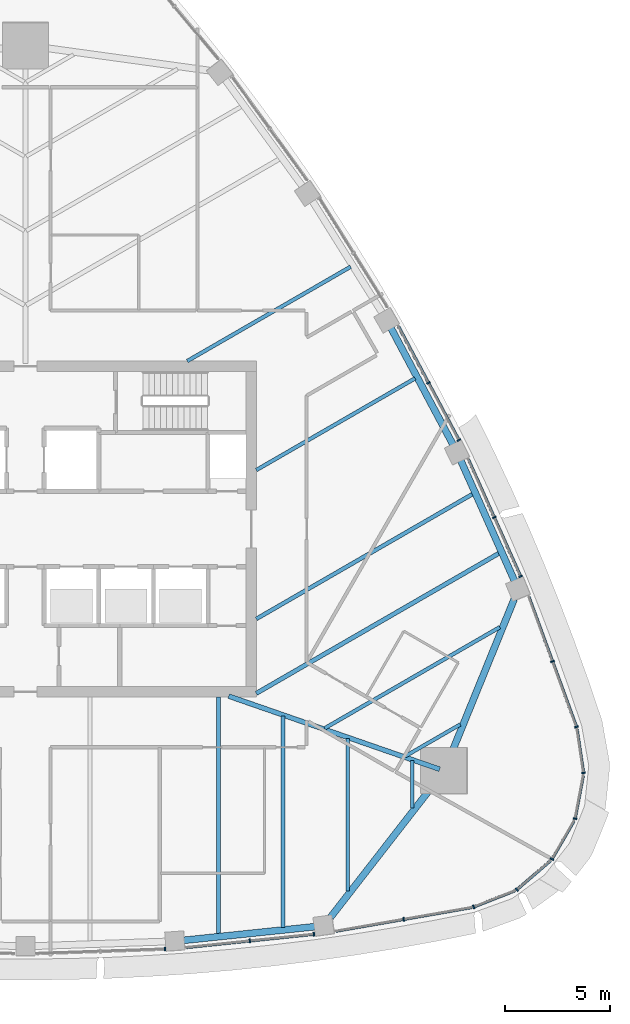
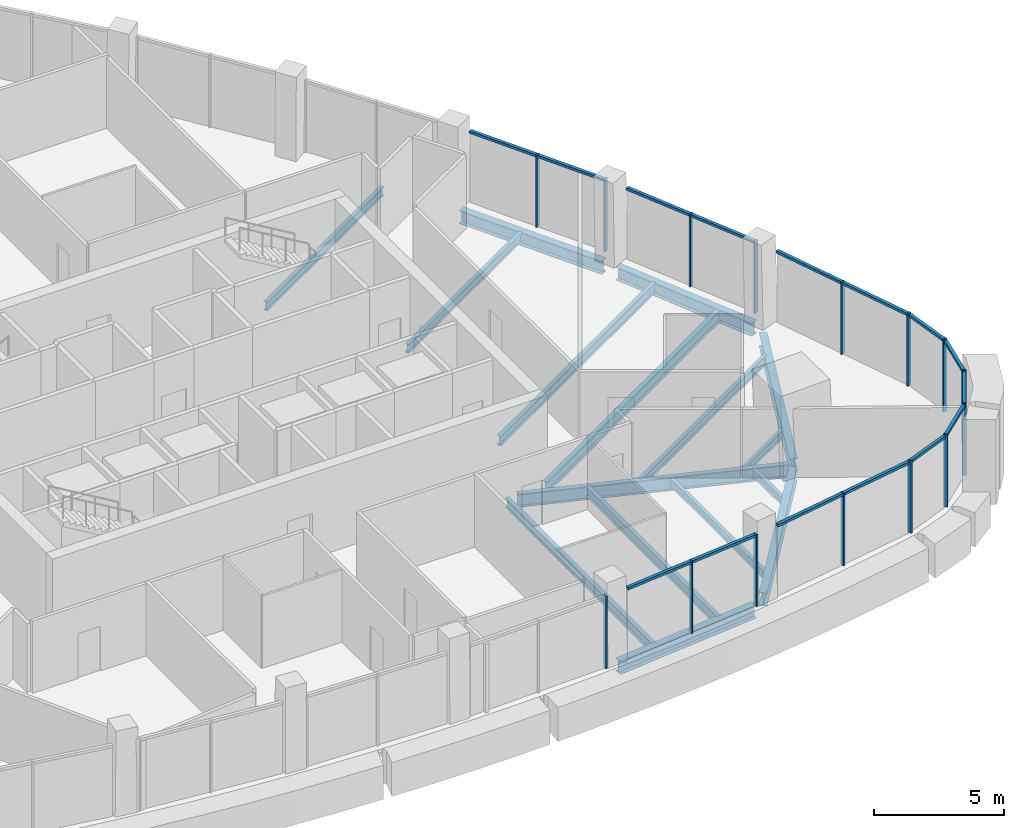
# One storey, part 4 of 15: 30 members, 16 beams, 11 elements without a shape of their own.
"""IFC4 building model written with IfcOpenShell, lengths in metres."""

from ifc_helpers import new_model, si_unit, direction, frame, origin, origin_2d, place, context, subcontext, project, spatial, rectangle, i_section, extrude, material, layer, layer_set, material_profile, profile_set, type_object, element, aggregate, save


model = new_model("IFC4")

# Units and contexts
model_context = context("Model", 3, precision=1e-05, world=origin(), true_north=direction((0.0, 1.0)))
body_context = subcontext(model_context, "Body", "Model", "MODEL_VIEW")
ifc_project = project(units=[si_unit("LENGTHUNIT", "METRE"), si_unit("AREAUNIT", "SQUARE_METRE"), si_unit("VOLUMEUNIT", "CUBIC_METRE"), si_unit("PLANEANGLEUNIT", "RADIAN"), si_unit("MASSUNIT", "GRAM", prefix="KILO")], contexts=[model_context])

# Site, building, storey
site_placement = place(None, origin())
site = spatial("IfcSite", under=ifc_project, at=site_placement, CompositionType="ELEMENT")
building_placement = place(site_placement, origin())
building = spatial("IfcBuilding", under=site, at=building_placement, Name="Sierra Prisma Convention Tower", CompositionType="ELEMENT")
storey_placement = place(building_placement, frame((0.0, 0.0, 315.0)))
storey = spatial("IfcBuildingStorey", under=building, at=storey_placement, Name="L72", CompositionType="ELEMENT", Elevation=315.0)

# Curtain wall, member
ifc_material_1 = material(Name="Aluminium and glass curtain wall", Category="aluminium")
ifc_layer = layer(ifc_material_1, 0.179931640625)
ifc_layer_set = layer_set([ifc_layer], Name="CW-1 Plain shaft curtain wall")
curtain_wall_type = type_object("IfcCurtainWallType", Name="CW-1 Plain shaft curtain wall", PredefinedType="NOTDEFINED", material=ifc_layer_set)
curtain_wall_1_placement = place(storey_placement, origin())
curtain_wall_1 = element("IfcCurtainWall", 1, at=curtain_wall_1_placement, inside=storey, type_object=curtain_wall_type, Name="CW-1 S4 L72", PredefinedType="NOTDEFINED")
ifc_material_2 = material(Name="Aluminium 6063-T6 bronze anodised", Category="aluminium")
ifc_material_profile_1 = material_profile(ifc_material_2, rectangle(XDim=0.179931640625, YDim=0.070068359375, at=origin_2d()), Name="ALU MULLION 70x180")
ifc_profile_set_1 = profile_set([ifc_material_profile_1], Name="Aluminium 6063-T6 bronze anodised")
member_type_1 = type_object("IfcMemberType", Name="CW mullion bronze", PredefinedType="MULLION", material=ifc_profile_set_1)
member_1_placement = place(storey_placement, frame((6.656005859375, -20.0029296875, 0.0), z_axis=(0.0, 0.0, 1.0), x_axis=(-0.034530885396, 0.999403631149, 0.0)))
member_1 = element("IfcMember", 2, at=member_1_placement, type_object=member_type_1, Name="CW-1 mullion S4.3", PredefinedType="MULLION", context=body_context, shape_type="SweptSolid", body=[
    extrude(rectangle(XDim=0.179931640625, YDim=0.070068359375, at=origin_2d()), origin(), (0.0, 0.0, 1.0), 3.39990234375),
])
aggregate(curtain_wall_1, [member_1])

# Curtain wall, members
curtain_wall_2_placement = place(storey_placement, origin())
curtain_wall_2 = element("IfcCurtainWall", 3, at=curtain_wall_2_placement, inside=storey, type_object=curtain_wall_type, Name="CW-1 S5 L72", PredefinedType="NOTDEFINED")
member_2_placement = place(storey_placement, frame((10.6904296875, -19.617919921875, 0.0), z_axis=(0.0, 0.0, 1.0), x_axis=(-0.103427960158, 0.994636947362, 0.0)))
member_2 = element("IfcMember", 4, at=member_2_placement, type_object=member_type_1, Name="CW-1 mullion S5.2", PredefinedType="MULLION", context=body_context, shape_type="SweptSolid", body=[
    extrude(rectangle(XDim=0.179931640625, YDim=0.070068359375, at=origin_2d()), origin(), (0.0, 0.0, 1.0), 3.39990234375),
])
member_3_placement = place(storey_placement, frame((13.74560546875, -19.300048828125, 0.0), z_axis=(0.0, 0.0, 1.0), x_axis=(-0.103427960158, 0.994636947362, 0.0)))
member_3 = element("IfcMember", 5, at=member_3_placement, type_object=member_type_1, Name="CW-1 mullion S5.3", PredefinedType="MULLION", context=body_context, shape_type="SweptSolid", body=[
    extrude(rectangle(XDim=0.179931640625, YDim=0.070068359375, at=origin_2d()), origin(), (0.0, 0.0, 1.0), 3.39990234375),
])

# Curtain wall, member
curtain_wall_3_placement = place(storey_placement, origin())
curtain_wall_3 = element("IfcCurtainWall", 6, at=curtain_wall_3_placement, inside=storey, type_object=curtain_wall_type, Name="CW-1 S6 L72", PredefinedType="NOTDEFINED")
member_4_placement = place(storey_placement, frame((18.018310546875, -18.592041015625, 0.0), z_axis=(0.0, 0.0, 1.0), x_axis=(-0.171831732349, 0.985126314621, 0.0)))
member_4 = element("IfcMember", 7, at=member_4_placement, type_object=member_type_1, Name="CW-1 mullion S6.2", PredefinedType="MULLION", context=body_context, shape_type="SweptSolid", body=[
    extrude(rectangle(XDim=0.179931640625, YDim=0.070068359375, at=origin_2d()), origin(), (0.0, 0.0, 1.0), 3.39990234375),
])

curtain_wall_4_placement = place(storey_placement, origin())
curtain_wall_4 = element("IfcCurtainWall", 8, at=curtain_wall_4_placement, inside=storey, type_object=curtain_wall_type, Name="CW-1 SE1 L72", PredefinedType="NOTDEFINED")
member_5_placement = place(storey_placement, frame((21.3544921875, -18.0029296875, 0.0), z_axis=(0.0, 0.0, 1.0), x_axis=(-0.366477899046, 0.930426756661, 0.0)))
member_5 = element("IfcMember", 9, at=member_5_placement, type_object=member_type_1, Name="CW-1 mullion SE1.1", PredefinedType="MULLION", context=body_context, shape_type="SweptSolid", body=[
    extrude(rectangle(XDim=0.179931640625, YDim=0.070068359375, at=origin_2d()), origin(), (0.0, 0.0, 1.0), 3.39990234375),
])

curtain_wall_5_placement = place(storey_placement, origin())
curtain_wall_5 = element("IfcCurtainWall", 10, at=curtain_wall_5_placement, inside=storey, type_object=curtain_wall_type, Name="CW-1 SE2 L72", PredefinedType="NOTDEFINED")
member_6_placement = place(storey_placement, frame((23.4130859375, -17.1796875, 0.0), z_axis=(0.0, 0.0, 1.0), x_axis=(-0.652750255522, 0.757573167368, 0.0)))
member_6 = element("IfcMember", 11, at=member_6_placement, type_object=member_type_1, Name="CW-1 mullion SE2.1", PredefinedType="MULLION", context=body_context, shape_type="SweptSolid", body=[
    extrude(rectangle(XDim=0.179931640625, YDim=0.070068359375, at=origin_2d()), origin(), (0.0, 0.0, 1.0), 3.39990234375),
])

curtain_wall_6_placement = place(storey_placement, origin())
curtain_wall_6 = element("IfcCurtainWall", 12, at=curtain_wall_6_placement, inside=storey, type_object=curtain_wall_type, Name="CW-1 SE3 L72", PredefinedType="NOTDEFINED")
member_7_placement = place(storey_placement, frame((25.085205078125, -15.7236328125, 0.0), z_axis=(0.0, 0.0, 1.0), x_axis=(-0.866025403784, 0.5, 0.0)))
member_7 = element("IfcMember", 13, at=member_7_placement, type_object=member_type_1, Name="CW-1 mullion SE3.1", PredefinedType="MULLION", context=body_context, shape_type="SweptSolid", body=[
    extrude(rectangle(XDim=0.179931640625, YDim=0.070068359375, at=origin_2d()), origin(), (0.0, 0.0, 1.0), 3.39990234375),
])

curtain_wall_7_placement = place(storey_placement, origin())
curtain_wall_7 = element("IfcCurtainWall", 14, at=curtain_wall_7_placement, inside=storey, type_object=curtain_wall_type, Name="CW-1 SE4 L72", PredefinedType="NOTDEFINED")
member_8_placement = place(storey_placement, frame((26.18359375, -13.7978515625, 0.0), z_axis=(0.0, 0.0, 1.0), x_axis=(-0.982452735927, 0.186511719925, 0.0)))
member_8 = element("IfcMember", 15, at=member_8_placement, type_object=member_type_1, Name="CW-1 mullion SE4.1", PredefinedType="MULLION", context=body_context, shape_type="SweptSolid", body=[
    extrude(rectangle(XDim=0.179931640625, YDim=0.070068359375, at=origin_2d()), origin(), (0.0, 0.0, 1.0), 3.39990234375),
])

curtain_wall_8_placement = place(storey_placement, origin())
curtain_wall_8 = element("IfcCurtainWall", 16, at=curtain_wall_8_placement, inside=storey, type_object=curtain_wall_type, Name="CW-1 SE5 L72", PredefinedType="NOTDEFINED")
member_9_placement = place(storey_placement, frame((26.5859375, -11.617431640625, 0.0), z_axis=(0.0, 0.0, 1.0), x_axis=(-0.989012157152, -0.147834207831, 0.0)))
member_9 = element("IfcMember", 17, at=member_9_placement, type_object=member_type_1, Name="CW-1 mullion SE5.1", PredefinedType="MULLION", context=body_context, shape_type="SweptSolid", body=[
    extrude(rectangle(XDim=0.179931640625, YDim=0.070068359375, at=origin_2d()), origin(), (0.0, 0.0, 1.0), 3.39990234375),
])

# Curtain wall, members
curtain_wall_9_placement = place(storey_placement, origin())
curtain_wall_9 = element("IfcCurtainWall", 18, at=curtain_wall_9_placement, inside=storey, type_object=curtain_wall_type, Name="CW-1 NE1 L72", PredefinedType="NOTDEFINED")
member_10_placement = place(storey_placement, frame((26.2509765625, -9.424560546875, 0.0), z_axis=(0.0, 0.0, 1.0), x_axis=(-0.939060280572, -0.34375251192, 0.0)))
member_10 = element("IfcMember", 19, at=member_10_placement, type_object=member_type_1, Name="CW-1 mullion NE1.1", PredefinedType="MULLION", context=body_context, shape_type="SweptSolid", body=[
    extrude(rectangle(XDim=0.179931640625, YDim=0.070068359375, at=origin_2d()), origin(), (0.0, 0.0, 1.0), 3.39990234375),
])
member_11_placement = place(storey_placement, frame((25.110107421875, -6.308349609375, 0.0), z_axis=(0.0, 0.0, 1.0), x_axis=(-0.939060280572, -0.34375251192, 0.0)))
member_11 = element("IfcMember", 20, at=member_11_placement, type_object=member_type_1, Name="CW-1 mullion NE1.2", PredefinedType="MULLION", context=body_context, shape_type="SweptSolid", body=[
    extrude(rectangle(XDim=0.179931640625, YDim=0.070068359375, at=origin_2d()), origin(), (0.0, 0.0, 1.0), 3.39990234375),
])

curtain_wall_10_placement = place(storey_placement, origin())
curtain_wall_10 = element("IfcCurtainWall", 21, at=curtain_wall_10_placement, inside=storey, type_object=curtain_wall_type, Name="CW-1 NE2 L72", PredefinedType="NOTDEFINED")
member_12_placement = place(storey_placement, frame((23.58740234375, -2.254150390625, 0.0), z_axis=(0.0, 0.0, 1.0), x_axis=(-0.913094844037, -0.407747232722, 0.0)))
member_12 = element("IfcMember", 22, at=member_12_placement, type_object=member_type_1, Name="CW-1 mullion NE2.1", PredefinedType="MULLION", context=body_context, shape_type="SweptSolid", body=[
    extrude(rectangle(XDim=0.179931640625, YDim=0.070068359375, at=origin_2d()), origin(), (0.0, 0.0, 1.0), 3.39990234375),
])
member_13_placement = place(storey_placement, frame((22.334716796875, 0.55078125, 0.0), z_axis=(0.0, 0.0, 1.0), x_axis=(-0.913094844037, -0.407747232722, 0.0)))
member_13 = element("IfcMember", 23, at=member_13_placement, type_object=member_type_1, Name="CW-1 mullion NE2.2", PredefinedType="MULLION", context=body_context, shape_type="SweptSolid", body=[
    extrude(rectangle(XDim=0.179931640625, YDim=0.070068359375, at=origin_2d()), origin(), (0.0, 0.0, 1.0), 3.39990234375),
])

curtain_wall_11_placement = place(storey_placement, origin())
curtain_wall_11 = element("IfcCurtainWall", 24, at=curtain_wall_11_placement, inside=storey, type_object=curtain_wall_type, Name="CW-1 NE3 L72", PredefinedType="NOTDEFINED")
member_14_placement = place(storey_placement, frame((20.651123046875, 4.237060546875, 0.0), z_axis=(0.0, 0.0, 1.0), x_axis=(-0.882774375908, -0.469797191606, 0.0)))
member_14 = element("IfcMember", 25, at=member_14_placement, type_object=member_type_1, Name="CW-1 mullion NE3.1", PredefinedType="MULLION", context=body_context, shape_type="SweptSolid", body=[
    extrude(rectangle(XDim=0.179931640625, YDim=0.070068359375, at=origin_2d()), origin(), (0.0, 0.0, 1.0), 3.39990234375),
])
member_15_placement = place(storey_placement, frame((19.200439453125, 6.962646484375, 0.0), z_axis=(0.0, 0.0, 1.0), x_axis=(-0.882774375908, -0.469797191606, 0.0)))
member_15 = element("IfcMember", 26, at=member_15_placement, type_object=member_type_1, Name="CW-1 mullion NE3.2", PredefinedType="MULLION", context=body_context, shape_type="SweptSolid", body=[
    extrude(rectangle(XDim=0.179931640625, YDim=0.070068359375, at=origin_2d()), origin(), (0.0, 0.0, 1.0), 3.39990234375),
])

# Member
ifc_material_3 = material(Name="Aluminium 6063-T6 bronze anodised", Category="aluminium")
ifc_material_profile_2 = material_profile(ifc_material_3, rectangle(XDim=0.139892578125, YDim=0.1201171875, at=origin_2d()), Name="ALU TRANSOM 120x140")
ifc_profile_set_2 = profile_set([ifc_material_profile_2], Name="Aluminium 6063-T6 bronze anodised")
member_type_2 = type_object("IfcMemberType", Name="CW transom bronze", PredefinedType="USERDEFINED", material=ifc_profile_set_2)
member_16_placement = place(storey_placement, frame((7.669921875, -19.931884765625, 3.340087890625), z_axis=(0.994642304355, 0.103376430521, 0.0), x_axis=(-0.103376430521, 0.994642304355, 0.0)))
member_16 = element("IfcMember", 27, at=member_16_placement, type_object=member_type_2, Name="CW-1 transom S5.1", ObjectType="TRANSOM", PredefinedType="USERDEFINED", context=body_context, shape_type="SweptSolid", body=[
    extrude(rectangle(XDim=0.139892578125, YDim=0.1201171875, at=origin_2d()), origin(), (0.0, 0.0, 1.0), 3.001708984375),
])

member_17_placement = place(storey_placement, frame((10.72509765625, -19.6142578125, 3.340087890625), z_axis=(0.994633938126, 0.103456895028, 0.0), x_axis=(-0.103456895028, 0.994633938126, 0.0)))
member_17 = element("IfcMember", 28, at=member_17_placement, type_object=member_type_2, Name="CW-1 transom S5.2", ObjectType="TRANSOM", PredefinedType="USERDEFINED", context=body_context, shape_type="SweptSolid", body=[
    extrude(rectangle(XDim=0.139892578125, YDim=0.1201171875, at=origin_2d()), origin(), (0.0, 0.0, 1.0), 3.001708984375),
])

aggregate(curtain_wall_2, [member_2, member_3, member_16, member_17])

member_18_placement = place(storey_placement, frame((14.78369140625, -19.15625, 3.340087890625), z_axis=(0.985118390495, 0.171877155864, 0.0), x_axis=(-0.171877155864, 0.985118390495, 0.0)))
member_18 = element("IfcMember", 29, at=member_18_placement, type_object=member_type_2, Name="CW-1 transom S6.1", ObjectType="TRANSOM", PredefinedType="USERDEFINED", context=body_context, shape_type="SweptSolid", body=[
    extrude(rectangle(XDim=0.139892578125, YDim=0.1201171875, at=origin_2d()), origin(), (0.0, 0.0, 1.0), 3.24853515625),
])

member_19_placement = place(storey_placement, frame((18.052734375, -18.5859375, 3.340087890625), z_axis=(0.985131112983, 0.17180422065, 0.0), x_axis=(-0.17180422065, 0.985131112983, 0.0)))
member_19 = element("IfcMember", 30, at=member_19_placement, type_object=member_type_2, Name="CW-1 transom S6.2", ObjectType="TRANSOM", PredefinedType="USERDEFINED", context=body_context, shape_type="SweptSolid", body=[
    extrude(rectangle(XDim=0.139892578125, YDim=0.1201171875, at=origin_2d()), origin(), (0.0, 0.0, 1.0), 3.24853515625),
])

aggregate(curtain_wall_3, [member_4, member_18, member_19])

member_20_placement = place(storey_placement, frame((21.386962890625, -17.989990234375, 3.340087890625), z_axis=(0.930415673806, 0.366506035334, 0.0), x_axis=(-0.366506035334, 0.930415673806, 0.0)))
member_20 = element("IfcMember", 31, at=member_20_placement, type_object=member_type_2, Name="CW-1 transom SE1.1", ObjectType="TRANSOM", PredefinedType="USERDEFINED", context=body_context, shape_type="SweptSolid", body=[
    extrude(rectangle(XDim=0.139892578125, YDim=0.1201171875, at=origin_2d()), origin(), (0.0, 0.0, 1.0), 2.0791015625),
])

aggregate(curtain_wall_4, [member_5, member_20])

member_21_placement = place(storey_placement, frame((23.439453125, -17.15673828125, 3.340087890625), z_axis=(0.757588144532, 0.652732872823, 0.0), x_axis=(-0.652732872823, 0.757588144532, 0.0)))
member_21 = element("IfcMember", 32, at=member_21_placement, type_object=member_type_2, Name="CW-1 transom SE2.1", ObjectType="TRANSOM", PredefinedType="USERDEFINED", context=body_context, shape_type="SweptSolid", body=[
    extrude(rectangle(XDim=0.139892578125, YDim=0.1201171875, at=origin_2d()), origin(), (0.0, 0.0, 1.0), 2.079345703125),
])

aggregate(curtain_wall_5, [member_6, member_21])

member_22_placement = place(storey_placement, frame((25.1025390625, -15.693359375, 3.340087890625), z_axis=(0.500003678222, 0.866023280152, 0.0), x_axis=(-0.866023280152, 0.500003678222, 0.0)))
member_22 = element("IfcMember", 33, at=member_22_placement, type_object=member_type_2, Name="CW-1 transom SE3.1", ObjectType="TRANSOM", PredefinedType="USERDEFINED", context=body_context, shape_type="SweptSolid", body=[
    extrude(rectangle(XDim=0.139892578125, YDim=0.1201171875, at=origin_2d()), origin(), (0.0, 0.0, 1.0), 2.0791015625),
])

aggregate(curtain_wall_6, [member_7, member_22])

member_23_placement = place(storey_placement, frame((26.190185546875, -13.763427734375, 3.340087890625), z_axis=(0.186486094826, 0.982457600325, 0.0), x_axis=(-0.982457600325, 0.186486094826, 0.0)))
member_23 = element("IfcMember", 34, at=member_23_placement, type_object=member_type_2, Name="CW-1 transom SE4.1", ObjectType="TRANSOM", PredefinedType="USERDEFINED", context=body_context, shape_type="SweptSolid", body=[
    extrude(rectangle(XDim=0.139892578125, YDim=0.1201171875, at=origin_2d()), origin(), (0.0, 0.0, 1.0), 2.078857421875),
])

aggregate(curtain_wall_7, [member_8, member_23])

member_24_placement = place(storey_placement, frame((26.58056640625, -11.582763671875, 3.340087890625), z_axis=(-0.14773172151, 0.989027471034, 0.0), x_axis=(-0.989027471034, -0.14773172151, 0.0)))
member_24 = element("IfcMember", 35, at=member_24_placement, type_object=member_type_2, Name="CW-1 transom SE5.1", ObjectType="TRANSOM", PredefinedType="USERDEFINED", context=body_context, shape_type="SweptSolid", body=[
    extrude(rectangle(XDim=0.139892578125, YDim=0.1201171875, at=origin_2d()), origin(), (0.0, 0.0, 1.0), 2.078857421875),
])

aggregate(curtain_wall_8, [member_9, member_24])

member_25_placement = place(storey_placement, frame((26.239013671875, -9.3916015625, 3.340087890625), z_axis=(-0.343757740584, 0.93905836655, 0.0), x_axis=(-0.93905836655, -0.343757740584, 0.0)))
member_25 = element("IfcMember", 36, at=member_25_placement, type_object=member_type_2, Name="CW-1 transom NE1.1", ObjectType="TRANSOM", PredefinedType="USERDEFINED", context=body_context, shape_type="SweptSolid", body=[
    extrude(rectangle(XDim=0.139892578125, YDim=0.1201171875, at=origin_2d()), origin(), (0.0, 0.0, 1.0), 3.24853515625),
])

member_26_placement = place(storey_placement, frame((25.09814453125, -6.275390625, 3.340087890625), z_axis=(-0.343757740584, 0.93905836655, 0.0), x_axis=(-0.93905836655, -0.343757740584, 0.0)))
member_26 = element("IfcMember", 37, at=member_26_placement, type_object=member_type_2, Name="CW-1 transom NE1.2", ObjectType="TRANSOM", PredefinedType="USERDEFINED", context=body_context, shape_type="SweptSolid", body=[
    extrude(rectangle(XDim=0.139892578125, YDim=0.1201171875, at=origin_2d()), origin(), (0.0, 0.0, 1.0), 3.24853515625),
])

aggregate(curtain_wall_9, [member_10, member_11, member_25, member_26])

member_27_placement = place(storey_placement, frame((23.572998046875, -2.22216796875, 3.340087890625), z_axis=(-0.407715022302, 0.913109227086, 0.0), x_axis=(-0.913109227086, -0.407715022302, 0.0)))
member_27 = element("IfcMember", 38, at=member_27_placement, type_object=member_type_2, Name="CW-1 transom NE2.1", ObjectType="TRANSOM", PredefinedType="USERDEFINED", context=body_context, shape_type="SweptSolid", body=[
    extrude(rectangle(XDim=0.139892578125, YDim=0.1201171875, at=origin_2d()), origin(), (0.0, 0.0, 1.0), 3.001708984375),
])

member_28_placement = place(storey_placement, frame((22.320556640625, 0.582763671875, 3.340087890625), z_axis=(-0.407782830604, 0.913078946787, 0.0), x_axis=(-0.913078946787, -0.407782830604, 0.0)))
member_28 = element("IfcMember", 39, at=member_28_placement, type_object=member_type_2, Name="CW-1 transom NE2.2", ObjectType="TRANSOM", PredefinedType="USERDEFINED", context=body_context, shape_type="SweptSolid", body=[
    extrude(rectangle(XDim=0.139892578125, YDim=0.1201171875, at=origin_2d()), origin(), (0.0, 0.0, 1.0), 3.001953125),
])

aggregate(curtain_wall_10, [member_12, member_13, member_27, member_28])

member_29_placement = place(storey_placement, frame((20.634521484375, 4.26806640625, 3.340087890625), z_axis=(-0.469756541362, 0.882796008061, 0.0), x_axis=(-0.882796008061, -0.469756541362, 0.0)))
member_29 = element("IfcMember", 40, at=member_29_placement, type_object=member_type_2, Name="CW-1 transom NE3.1", ObjectType="TRANSOM", PredefinedType="USERDEFINED", context=body_context, shape_type="SweptSolid", body=[
    extrude(rectangle(XDim=0.139892578125, YDim=0.1201171875, at=origin_2d()), origin(), (0.0, 0.0, 1.0), 3.017578125),
])

member_30_placement = place(storey_placement, frame((19.18408203125, 6.99365234375, 3.340087890625), z_axis=(-0.469819592331, 0.882762454266, 0.0), x_axis=(-0.882762454266, -0.469819592331, 0.0)))
member_30 = element("IfcMember", 41, at=member_30_placement, type_object=member_type_2, Name="CW-1 transom NE3.2", ObjectType="TRANSOM", PredefinedType="USERDEFINED", context=body_context, shape_type="SweptSolid", body=[
    extrude(rectangle(XDim=0.139892578125, YDim=0.1201171875, at=origin_2d()), origin(), (0.0, 0.0, 1.0), 3.017578125),
])

aggregate(curtain_wall_11, [member_14, member_15, member_29, member_30])

# Beams
ifc_material_4 = material(Name="Steel ASTM A992 Gr 50", Category="steel")
ifc_material_profile_3 = material_profile(ifc_material_4, i_section(OverallWidth=0.172119140625, OverallDepth=0.35791015625, WebThickness=0.0078125, FlangeThickness=0.01318359375, at=origin_2d()), Name="W360x57")
ifc_profile_set_3 = profile_set([ifc_material_profile_3], Name="Steel ASTM A992 Gr 50")
beam_type_1 = type_object("IfcBeamType", Name="Floor joist W360x57", PredefinedType="JOIST", material=ifc_profile_set_3)
beam_1_placement = place(storey_placement, frame((15.351318359375, -17.232421875, -0.3291015625), z_axis=(0.0, 1.0, 0.0), x_axis=(-1.0, 0.0, 0.0)))
element("IfcBeam", 42, at=beam_1_placement, inside=storey, type_object=beam_type_1, Name="Floor joist L72 S12", PredefinedType="JOIST", context=body_context, shape_type="SweptSolid", body=[
    extrude(i_section(OverallWidth=0.172119140625, OverallDepth=0.35791015625, WebThickness=0.0078125, FlangeThickness=0.01318359375, at=origin_2d()), origin(), (0.0, 0.0, 1.0), 7.2587890625),
])
beam_2_placement = place(storey_placement, frame((18.42138671875, -13.2822265625, -0.3291015625), z_axis=(0.0, 1.0, 0.0), x_axis=(-1.0, 0.0, 0.0)))
element("IfcBeam", 43, at=beam_2_placement, inside=storey, type_object=beam_type_1, Name="Floor joist L72 S13", PredefinedType="JOIST", context=body_context, shape_type="SweptSolid", body=[
    extrude(i_section(OverallWidth=0.172119140625, OverallDepth=0.35791015625, WebThickness=0.0078125, FlangeThickness=0.01318359375, at=origin_2d()), origin(), (0.0, 0.0, 1.0), 2.243896484375),
])
beam_3_placement = place(storey_placement, frame((20.713623046875, -9.312255859375, -0.3291015625), z_axis=(-0.866021793822, -0.500006252586, 0.0), x_axis=(0.500006252586, -0.866021793822, 0.0)))
element("IfcBeam", 44, at=beam_3_placement, inside=storey, type_object=beam_type_1, Name="Floor joist L72 NE01", PredefinedType="JOIST", context=body_context, shape_type="SweptSolid", body=[
    extrude(i_section(OverallWidth=0.172119140625, OverallDepth=0.35791015625, WebThickness=0.0078125, FlangeThickness=0.01318359375, at=origin_2d()), origin(), (0.0, 0.0, 1.0), 3.0283203125),
])
ifc_material_5 = material(Name="Steel ASTM A992 Gr 50", Category="steel")
ifc_material_profile_4 = material_profile(ifc_material_5, i_section(OverallWidth=0.177978515625, OverallDepth=0.406982421875, WebThickness=0.0078125, FlangeThickness=0.0126953125, at=origin_2d()), Name="W410x60")
ifc_profile_set_4 = profile_set([ifc_material_profile_4], Name="Steel ASTM A992 Gr 50")
beam_type_2 = type_object("IfcBeamType", Name="Floor joist W410x60", PredefinedType="JOIST", material=ifc_profile_set_4)
beam_4_placement = place(storey_placement, frame((22.599365234375, -4.67822265625, -0.353515625), z_axis=(-0.866017228228, -0.500014160211, 0.0), x_axis=(0.500014160211, -0.866017228228, 0.0)))
element("IfcBeam", 45, at=beam_4_placement, inside=storey, type_object=beam_type_2, Name="Floor joist L72 NE02", PredefinedType="JOIST", context=body_context, shape_type="SweptSolid", body=[
    extrude(i_section(OverallWidth=0.177978515625, OverallDepth=0.406982421875, WebThickness=0.0078125, FlangeThickness=0.0126953125, at=origin_2d()), origin(), (0.0, 0.0, 1.0), 9.635498046875),
])
beam_5_placement = place(storey_placement, frame((18.564697265625, 7.173095703125, -0.353515625), z_axis=(-0.866027801201, -0.499995847529, 0.0), x_axis=(0.499995847529, -0.866027801201, 0.0)))
element("IfcBeam", 46, at=beam_5_placement, inside=storey, type_object=beam_type_2, Name="Floor joist L72 NE06", PredefinedType="JOIST", context=body_context, shape_type="SweptSolid", body=[
    extrude(i_section(OverallWidth=0.177978515625, OverallDepth=0.406982421875, WebThickness=0.0078125, FlangeThickness=0.0126953125, at=origin_2d()), origin(), (0.0, 0.0, 1.0), 8.73486328125),
])
beam_6_placement = place(storey_placement, frame((15.49462890625, 12.490966796875, -0.353515625), z_axis=(-0.866031691937, -0.499989108442, 0.0), x_axis=(0.499989108442, -0.866031691937, 0.0)))
element("IfcBeam", 47, at=beam_6_placement, inside=storey, type_object=beam_type_2, Name="Floor joist L72 NE08", PredefinedType="JOIST", context=body_context, shape_type="SweptSolid", body=[
    extrude(i_section(OverallWidth=0.177978515625, OverallDepth=0.406982421875, WebThickness=0.0078125, FlangeThickness=0.0126953125, at=origin_2d()), origin(), (0.0, 0.0, 1.0), 8.982177734375),
])
ifc_material_6 = material(Name="Steel ASTM A992 Gr 50", Category="steel")
ifc_material_profile_5 = material_profile(ifc_material_6, i_section(OverallWidth=0.18994140625, OverallDepth=0.45703125, WebThickness=0.009033203125, FlangeThickness=0.014404296875, at=origin_2d()), Name="W460x74")
ifc_profile_set_5 = profile_set([ifc_material_profile_5], Name="Steel ASTM A992 Gr 50")
beam_type_3 = type_object("IfcBeamType", Name="Floor joist W460x74", PredefinedType="JOIST", material=ifc_profile_set_5)
beam_7_placement = place(storey_placement, frame((9.210693359375, -19.306640625, -0.37841796875), z_axis=(0.0, 1.0, 0.0), x_axis=(-1.0, 0.0, 0.0)))
element("IfcBeam", 48, at=beam_7_placement, inside=storey, type_object=beam_type_3, Name="Floor joist L72 S10", PredefinedType="JOIST", context=body_context, shape_type="SweptSolid", body=[
    extrude(i_section(OverallWidth=0.18994140625, OverallDepth=0.45703125, WebThickness=0.009033203125, FlangeThickness=0.014404296875, at=origin_2d()), origin(), (0.0, 0.0, 1.0), 11.306640625),
])
beam_8_placement = place(storey_placement, frame((12.281005859375, -18.9873046875, -0.37841796875), z_axis=(0.0, 1.0, 0.0), x_axis=(-1.0, 0.0, 0.0)))
element("IfcBeam", 49, at=beam_8_placement, inside=storey, type_object=beam_type_3, Name="Floor joist L72 S11", PredefinedType="JOIST", context=body_context, shape_type="SweptSolid", body=[
    extrude(i_section(OverallWidth=0.18994140625, OverallDepth=0.45703125, WebThickness=0.009033203125, FlangeThickness=0.014404296875, at=origin_2d()), origin(), (0.0, 0.0, 1.0), 10.078369140625),
])
beam_9_placement = place(storey_placement, frame((21.325439453125, 1.676513671875, -0.37841796875), z_axis=(-0.866033161548, -0.499986562919, 0.0), x_axis=(0.499986562919, -0.866033161548, 0.0)))
element("IfcBeam", 50, at=beam_9_placement, inside=storey, type_object=beam_type_3, Name="Floor joist L72 NE04", PredefinedType="JOIST", context=body_context, shape_type="SweptSolid", body=[
    extrude(i_section(OverallWidth=0.18994140625, OverallDepth=0.45703125, WebThickness=0.009033203125, FlangeThickness=0.014404296875, at=origin_2d()), origin(), (0.0, 0.0, 1.0), 11.922607421875),
])
ifc_material_7 = material(Name="Steel ASTM A992 Gr 50", Category="steel")
ifc_material_profile_6 = material_profile(ifc_material_7, i_section(OverallWidth=0.208984375, OverallDepth=0.532958984375, WebThickness=0.01025390625, FlangeThickness=0.015625, at=origin_2d()), Name="W530x92")
ifc_profile_set_6 = profile_set([ifc_material_profile_6], Name="Steel ASTM A992 Gr 50")
beam_type_4 = type_object("IfcBeamType", Name="Floor joist W530x92", PredefinedType="JOIST", material=ifc_profile_set_6)
beam_10_placement = place(storey_placement, frame((22.583984375, -1.141845703125, -0.41650390625), z_axis=(-0.866018413782, -0.500012106844, 0.0), x_axis=(0.500012106844, -0.866018413782, 0.0)))
element("IfcBeam", 51, at=beam_10_placement, inside=storey, type_object=beam_type_4, Name="Floor joist L72 NE03", PredefinedType="JOIST", context=body_context, shape_type="SweptSolid", body=[
    extrude(i_section(OverallWidth=0.208984375, OverallDepth=0.532958984375, WebThickness=0.01025390625, FlangeThickness=0.015625, at=origin_2d()), origin(), (0.0, 0.0, 1.0), 13.376220703125),
])
ifc_material_8 = material(Name="Steel ASTM A992 Gr 50", Category="steel")
ifc_material_profile_7 = material_profile(ifc_material_8, i_section(OverallWidth=0.22998046875, OverallDepth=0.616943359375, WebThickness=0.01318359375, FlangeThickness=0.022216796875, at=origin_2d()), Name="W610x140")
ifc_profile_set_7 = profile_set([ifc_material_profile_7], Name="Steel ASTM A992 Gr 50")
beam_type_5 = type_object("IfcBeamType", Name="Radial girder W610x140", PredefinedType="BEAM", material=ifc_profile_set_7)
beam_11_placement = place(storey_placement, frame((19.736572265625, -11.445556640625, -0.45849609375), z_axis=(-0.944811572073, 0.32761424462, 0.0), x_axis=(-0.32761424462, -0.944811572073, 0.0)))
element("IfcBeam", 52, at=beam_11_placement, inside=storey, type_object=beam_type_5, Name="Radial girder L72 SE", PredefinedType="BEAM", context=body_context, shape_type="SweptSolid", body=[
    extrude(i_section(OverallWidth=0.22998046875, OverallDepth=0.616943359375, WebThickness=0.01318359375, FlangeThickness=0.022216796875, at=origin_2d()), origin(), (0.0, 0.0, 1.0), 10.63720703125),
])
ifc_material_9 = material(Name="Steel ASTM A992 Gr 50", Category="steel")
ifc_material_profile_8 = material_profile(ifc_material_9, i_section(OverallWidth=0.324951171875, OverallDepth=0.615966796875, WebThickness=0.013916015625, FlangeThickness=0.021484375, at=origin_2d()), Name="W610x174")
ifc_profile_set_8 = profile_set([ifc_material_profile_8], Name="Steel ASTM A992 Gr 50")
beam_type_6 = type_object("IfcBeamType", Name="Spandrel beam W610x174", PredefinedType="BEAM", material=ifc_profile_set_8)
beam_12_placement = place(storey_placement, frame((7.45703125, -19.6025390625, -0.4580078125), z_axis=(0.994632652231, 0.103469256867, 0.0), x_axis=(-0.103469256867, 0.994632652231, 0.0)))
element("IfcBeam", 53, at=beam_12_placement, inside=storey, type_object=beam_type_6, Name="Spandrel L72-05", PredefinedType="BEAM", context=body_context, shape_type="SweptSolid", body=[
    extrude(i_section(OverallWidth=0.324951171875, OverallDepth=0.615966796875, WebThickness=0.013916015625, FlangeThickness=0.021484375, at=origin_2d()), origin(), (0.0, 0.0, 1.0), 6.47216796875),
])
beam_13_placement = place(storey_placement, frame((14.534912109375, -18.497802734375, -0.4580078125), z_axis=(0.613662048039, 0.789568800546, 0.0), x_axis=(-0.789568800546, 0.613662048039, 0.0)))
element("IfcBeam", 54, at=beam_13_placement, inside=storey, type_object=beam_type_6, Name="Spandrel L72-06", PredefinedType="BEAM", context=body_context, shape_type="SweptSolid", body=[
    extrude(i_section(OverallWidth=0.324951171875, OverallDepth=0.615966796875, WebThickness=0.013916015625, FlangeThickness=0.021484375, at=origin_2d()), origin(), (0.0, 0.0, 1.0), 8.556396484375),
])
beam_14_placement = place(storey_placement, frame((20.046142578125, -11.302001953125, -0.4580078125), z_axis=(0.376936055216, 0.926239283489, 0.0), x_axis=(-0.926239283489, 0.376936055216, 0.0)))
element("IfcBeam", 55, at=beam_14_placement, inside=storey, type_object=beam_type_6, Name="Spandrel L72-07", PredefinedType="BEAM", context=body_context, shape_type="SweptSolid", body=[
    extrude(i_section(OverallWidth=0.324951171875, OverallDepth=0.615966796875, WebThickness=0.013916015625, FlangeThickness=0.021484375, at=origin_2d()), origin(), (0.0, 0.0, 1.0), 8.59765625),
])
beam_15_placement = place(storey_placement, frame((23.34375, -2.566650390625, -0.4580078125), z_axis=(-0.407754741132, 0.913091491081, 0.0), x_axis=(-0.913091491081, -0.407754741132, 0.0)))
element("IfcBeam", 56, at=beam_15_placement, inside=storey, type_object=beam_type_6, Name="Spandrel L72-08", PredefinedType="BEAM", context=body_context, shape_type="SweptSolid", body=[
    extrude(i_section(OverallWidth=0.324951171875, OverallDepth=0.615966796875, WebThickness=0.013916015625, FlangeThickness=0.021484375, at=origin_2d()), origin(), (0.0, 0.0, 1.0), 6.472412109375),
])
beam_16_placement = place(storey_placement, frame((20.414794921875, 3.936279296875, -0.4580078125), z_axis=(-0.469777491796, 0.882784859523, 0.0), x_axis=(-0.882784859523, -0.469777491796, 0.0)))
element("IfcBeam", 57, at=beam_16_placement, inside=storey, type_object=beam_type_6, Name="Spandrel L72-09", PredefinedType="BEAM", context=body_context, shape_type="SweptSolid", body=[
    extrude(i_section(OverallWidth=0.324951171875, OverallDepth=0.615966796875, WebThickness=0.013916015625, FlangeThickness=0.021484375, at=origin_2d()), origin(), (0.0, 0.0, 1.0), 6.47216796875),
])

save(model, "model.ifc")
